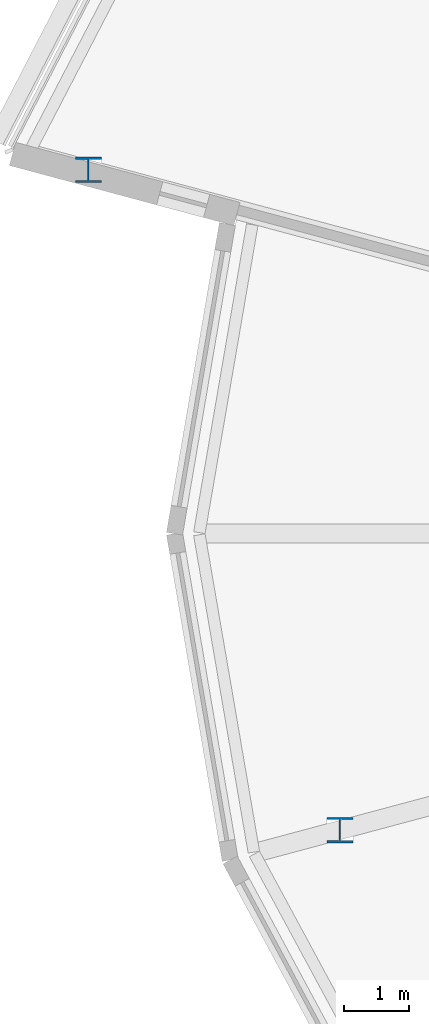
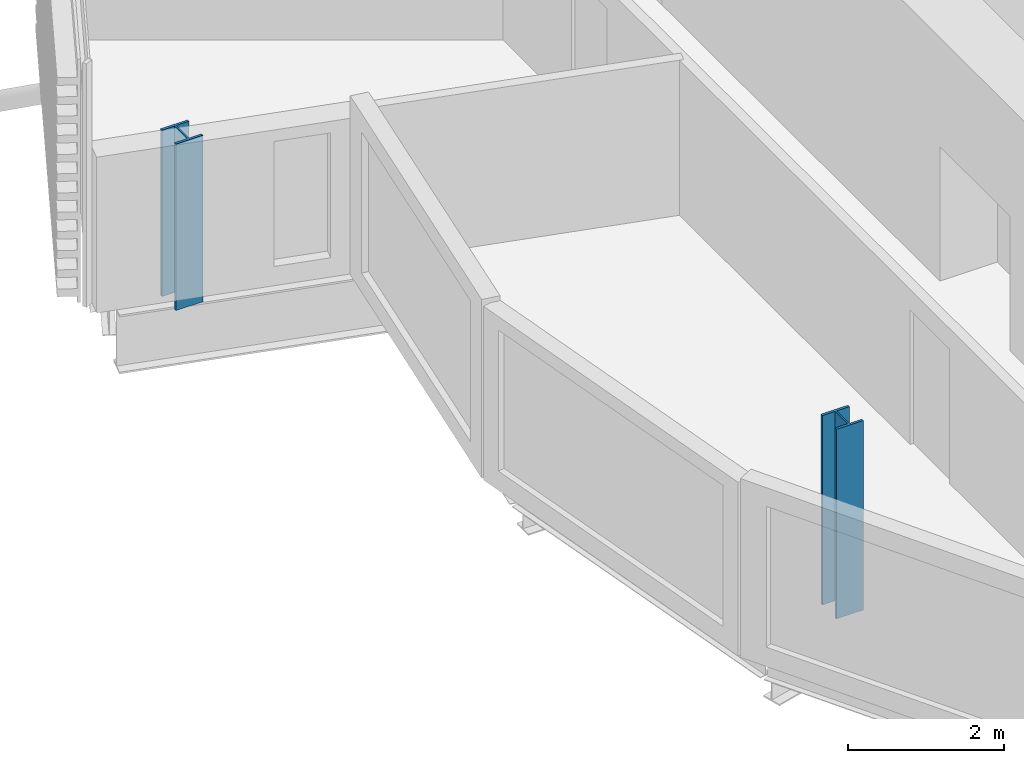
# One storey, part 1 of 37: 2 columns.
"""IFC4 building model written with IfcOpenShell, lengths in metres."""

from ifc_helpers import new_model, si_unit, direction, frame, origin, origin_2d, place, context, subcontext, project, spatial, i_section, extrude, material, material_profile, profile_set, type_object, element, save


model = new_model("IFC4")

# Units and contexts
model_context = context("Model", 3, precision=1e-05, world=origin(), true_north=direction((0.0, 1.0)))
body_context = subcontext(model_context, "Body", "Model", "MODEL_VIEW")
ifc_project = project(units=[si_unit("LENGTHUNIT", "METRE"), si_unit("AREAUNIT", "SQUARE_METRE"), si_unit("VOLUMEUNIT", "CUBIC_METRE"), si_unit("PLANEANGLEUNIT", "RADIAN"), si_unit("MASSUNIT", "GRAM", prefix="KILO")], contexts=[model_context])

# Site, building, storey
site_placement = place(None, origin())
site = spatial("IfcSite", under=ifc_project, at=site_placement, CompositionType="ELEMENT")
building_placement = place(site_placement, origin())
building = spatial("IfcBuilding", under=site, at=building_placement, Name="Rimbun Link Towers", CompositionType="ELEMENT")
storey_placement = place(building_placement, frame((0.0, 0.0, 60.39990234375)))
storey = spatial("IfcBuildingStorey", under=building, at=storey_placement, Name="L14", CompositionType="ELEMENT", Elevation=60.39990234375)

# Columns
ifc_material = material(Name="Steel S355J2", Category="steel")
ifc_material_profile = material_profile(ifc_material, i_section(OverallWidth=0.39892578125, OverallDepth=0.3935546875, WebThickness=0.022705078125, FlangeThickness=0.03662109375, at=origin_2d()), Name="UC 356x406x287")
ifc_profile_set = profile_set([ifc_material_profile], Name="Steel S355J2")
column_type = type_object("IfcColumnType", Name="UC 356x406x287", PredefinedType="COLUMN", material=ifc_profile_set)
column_1_placement = place(storey_placement, frame((-52.674560546875, 5.606689453125, -0.159912109375), z_axis=(0.0, 0.0, 1.0), x_axis=(1.0, 0.0, 0.0)))
element("IfcColumn", 1, at=column_1_placement, inside=storey, type_object=column_type, Name="Crease post T1 L14 11", PredefinedType="COLUMN", context=body_context, shape_type="SweptSolid", body=[
    extrude(i_section(OverallWidth=0.39892578125, OverallDepth=0.3935546875, WebThickness=0.022705078125, FlangeThickness=0.03662109375, at=origin_2d()), origin(), (0.0, 0.0, 1.0), 2.60009765625),
])
column_2_placement = place(storey_placement, frame((-48.798095703125, -4.568115234375, -0.159912109375), z_axis=(0.0, 0.0, 1.0), x_axis=(1.0, 0.0, 0.0)))
element("IfcColumn", 2, at=column_2_placement, inside=storey, type_object=column_type, Name="Crease post T1 L14 13", PredefinedType="COLUMN", context=body_context, shape_type="SweptSolid", body=[
    extrude(i_section(OverallWidth=0.39892578125, OverallDepth=0.3935546875, WebThickness=0.022705078125, FlangeThickness=0.03662109375, at=origin_2d()), origin(), (0.0, 0.0, 1.0), 2.959228515625),
])

save(model, "model.ifc")
